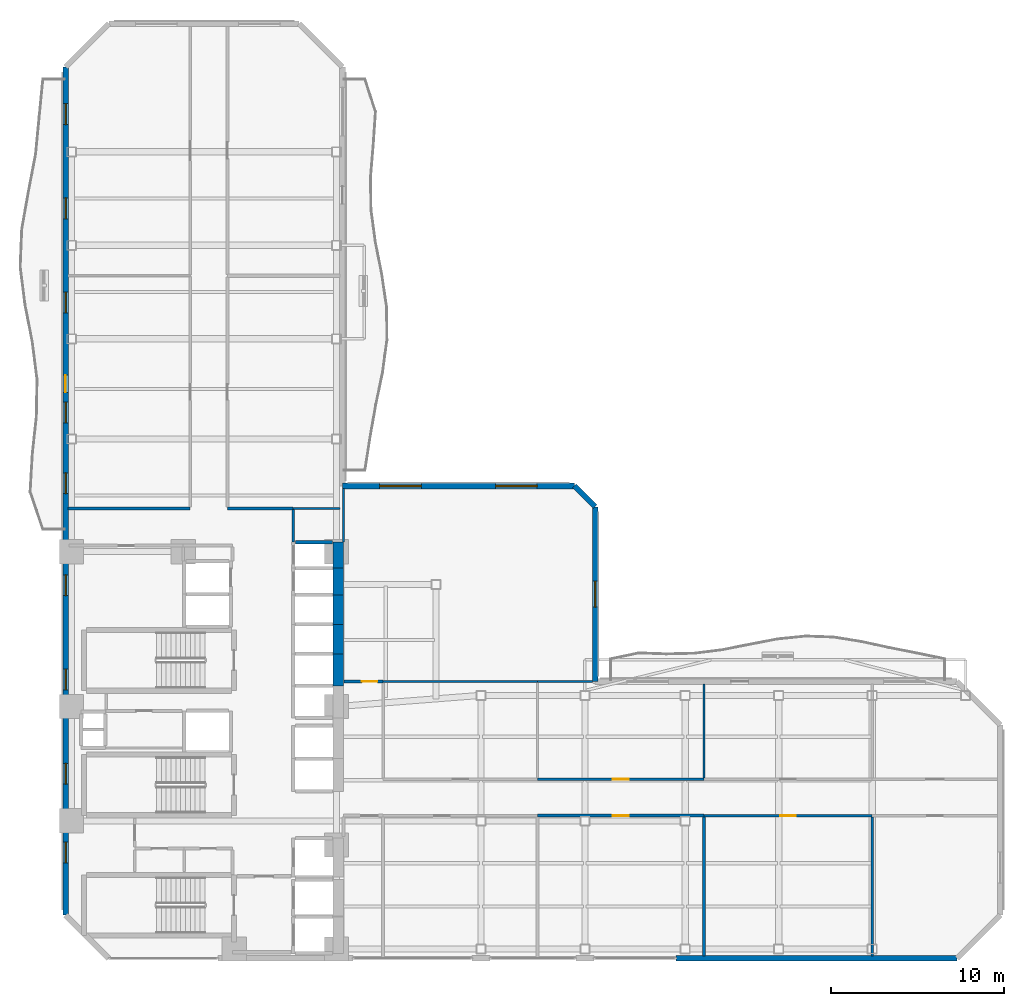
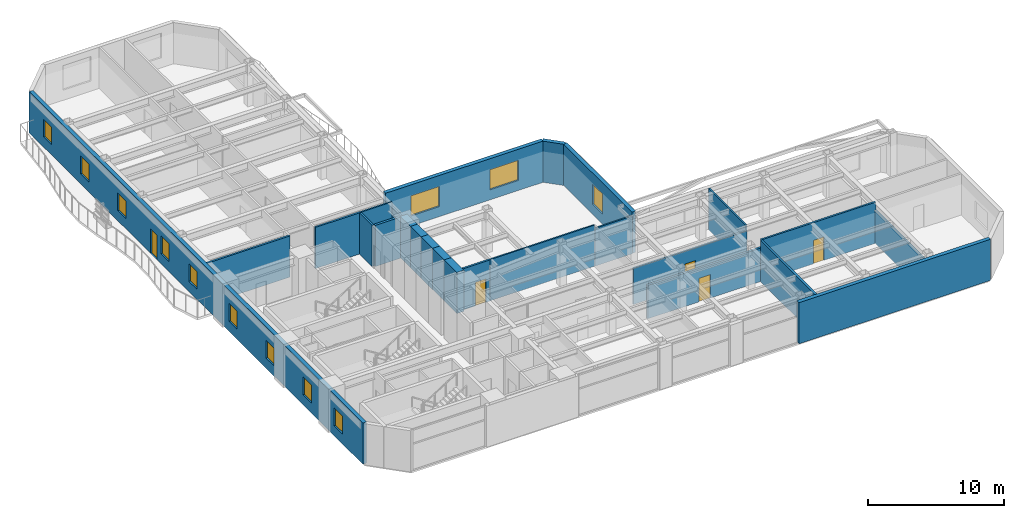
# One storey, part 11 of 16: 25 walls, 12 windows, 5 doors, 17 openings.
"""IFC4 building model written with IfcOpenShell, lengths in metres."""

from ifc_helpers import new_model, si_unit, direction, frame, frame_2d, origin, place, context, subcontext, project, spatial, rectangle, extrude, material, layer, layer_set, type_object, element, fill, save


model = new_model("IFC4")

# Units and contexts
model_context = context("Model", 3, precision=1e-05, world=origin(), true_north=direction((0.0, 1.0)))
body_context = subcontext(model_context, "Body", "Model", "MODEL_VIEW")
ifc_project = project(units=[si_unit("LENGTHUNIT", "METRE"), si_unit("AREAUNIT", "SQUARE_METRE"), si_unit("VOLUMEUNIT", "CUBIC_METRE"), si_unit("PLANEANGLEUNIT", "RADIAN"), si_unit("MASSUNIT", "GRAM", prefix="KILO")], contexts=[model_context])

# Site, building, storey
site_placement = place(None, origin())
site = spatial("IfcSite", under=ifc_project, at=site_placement, CompositionType="ELEMENT")
building_placement = place(site_placement, origin())
building = spatial("IfcBuilding", under=site, at=building_placement, Name="Mawjaban Terraces University", CompositionType="ELEMENT")
storey_placement = place(building_placement, frame((0.0, 0.0, 54.39990234375)))
storey = spatial("IfcBuildingStorey", under=building, at=storey_placement, Name="L12", CompositionType="ELEMENT", Elevation=54.39990234375)

# Wall, opening, door
ifc_material_1 = material(Name="Acoustic masonry blockwork", Category="masonry")
ifc_layer_1 = layer(ifc_material_1, 0.179931640625)
ifc_layer_set_1 = layer_set([ifc_layer_1], Name="Acoustic masonry blockwork")
wall_type_1 = type_object("IfcWallType", Name="AcousticStudioWall_180", PredefinedType="PARTITIONING", material=ifc_layer_set_1)
wall_1_placement = place(storey_placement, frame((49.260009765625, 8.25, 0.0), z_axis=(0.0, 0.0, 1.0), x_axis=(1.0, 0.0, 0.0)))
wall_1 = element("IfcWall", 1, at=wall_1_placement, inside=storey, type_object=wall_type_1, Name="L12 East Academic Spine Corridor Partition 17", PredefinedType="PARTITIONING", context=body_context, shape_type="SweptSolid", body=[
    extrude(rectangle(XDim=9.6298828125, YDim=0.179931640625, at=frame_2d((4.81494140625, 0.0))), origin(), (0.0, 0.0, 1.0), 2.9951171875),
])
opening_1_placement = place(wall_1_placement, frame((4.340087890625, 0.0, 0.0)))
opening_1 = element("IfcOpeningElement", 2, at=opening_1_placement, cuts=wall_1, Name="Opening ID-095", PredefinedType="OPENING", context=body_context, shape_type="SweptSolid", body=[
    extrude(rectangle(XDim=0.949951171875, YDim=2.10009765625, at=frame_2d((0.47509765625, 1.050048828125))), frame((0.0, 0.099853515625, 0.0), z_axis=(0.0, -1.0, 0.0), x_axis=(1.0, 0.0, 0.0)), (0.0, 0.0, 1.0), 0.199951171875),
])
ifc_material_2 = material(Name="Powder-coated steel frame and solid acoustic timber leaf", Category="steel")
door_type_1 = type_object("IfcDoorType", Name="StudioDoor_950x2100", OperationType="NOTDEFINED", PredefinedType="DOOR", material=ifc_material_2)
door_1_placement = place(opening_1_placement, origin())
door_1 = element("IfcDoor", 3, at=door_1_placement, inside=storey, type_object=door_type_1, Name="L12 Media Workshop 4 Door", OperationType="SINGLE_SWING_LEFT", OverallHeight=2.10009765625, OverallWidth=0.949951171875, PredefinedType="DOOR", context=body_context, shape_type="SweptSolid", body=[
    extrude(rectangle(XDim=0.949951171875, YDim=2.10009765625, at=frame_2d((0.47509765625, 1.050048828125))), frame((0.0, 0.02490234375, 0.0), z_axis=(0.0, -1.0, 0.0), x_axis=(1.0, 0.0, 0.0)), (0.0, 0.0, 1.0), 0.050048828125),
])
fill(opening_1, door_1)

# Walls
wall_2_placement = place(storey_placement, frame((58.889892578125, 0.155029296875, 0.0), z_axis=(0.0, 0.0, 1.0), x_axis=(0.0, 1.0, 0.0)))
element("IfcWall", 4, at=wall_2_placement, inside=storey, type_object=wall_type_1, Name="L12 Media Workshop 4 Partition 44", PredefinedType="PARTITIONING", context=body_context, shape_type="SweptSolid", body=[
    extrude(rectangle(XDim=8.010009765625, YDim=0.179931640625, at=frame_2d((4.0048828125, 0.0))), origin(), (0.0, 0.0, 1.0), 3.690185546875),
])
ifc_material_3 = material(Name="Concrete C70/85", Category="concrete")
ifc_layer_2 = layer(ifc_material_3, 0.60009765625)
ifc_layer_set_2 = layer_set([ifc_layer_2], Name="Concrete C70/85")
wall_type_2 = type_object("IfcWallType", Name="CoreShearWall_600", PredefinedType="SHEAR", material=ifc_layer_set_2)
wall_3_placement = place(storey_placement, frame((37.75, 15.75, 0.0), z_axis=(0.0, 0.0, 1.0), x_axis=(0.0, 1.0, 0.0)))
element("IfcWall", 5, at=wall_3_placement, inside=storey, type_object=wall_type_2, Name="L12 Lift OL-2 Hoistway Wall East", PredefinedType="SHEAR", context=body_context, shape_type="SweptSolid", body=[
    extrude(rectangle(XDim=1.85009765625, YDim=0.60009765625, at=frame_2d((0.925048828125, 0.0))), origin(), (0.0, 0.0, 1.0), 3.690185546875),
])
for number, where, z_axis, x_axis, name in (
    (6, (37.75, 17.60009765625, 0.0), (0.0, 0.0, 1.0), (0.0, 1.0, 0.0), "L12 Lift PL-M1 Hoistway Wall East"),
    (7, (37.75, 19.300048828125, 0.0), (0.0, 0.0, 1.0), (0.0, 1.0, 0.0), "L12 Lift PL-M2 Hoistway Wall East"),
):
    element("IfcWall", number, at=place(storey_placement, frame(where, z_axis=z_axis, x_axis=x_axis)), inside=storey, type_object=wall_type_2, Name=name, PredefinedType="SHEAR", context=body_context, shape_type="SweptSolid", body=[
        extrude(rectangle(XDim=1.699951171875, YDim=0.60009765625, at=frame_2d((0.85009765625, 0.0))), origin(), (0.0, 0.0, 1.0), 3.690185546875),
    ])
wall_4_placement = place(storey_placement, frame((37.75, 21.0, 0.0), z_axis=(0.0, 0.0, 1.0), x_axis=(0.0, 1.0, 0.0)))
element("IfcWall", 8, at=wall_4_placement, inside=storey, type_object=wall_type_2, Name="L12 Lift PL-L1 Hoistway Wall East", PredefinedType="SHEAR", context=body_context, shape_type="SweptSolid", body=[
    extrude(rectangle(XDim=1.550048828125, YDim=0.60009765625, at=frame_2d((0.77490234375, 0.0))), origin(), (0.0, 0.0, 1.0), 3.690185546875),
])
wall_5_placement = place(storey_placement, frame((37.75, 22.550048828125, 0.0), z_axis=(0.0, 0.0, 1.0), x_axis=(0.0, 1.0, 0.0)))
element("IfcWall", 9, at=wall_5_placement, inside=storey, type_object=wall_type_2, Name="L12 Lift PL-L2 Hoistway Wall East", PredefinedType="SHEAR", context=body_context, shape_type="SweptSolid", body=[
    extrude(rectangle(XDim=1.5, YDim=0.60009765625, at=frame_2d((0.75, 0.0))), origin(), (0.0, 0.0, 1.0), 3.690185546875),
])
ifc_material_4 = material(Name="Fire-rated gypsum board on steel stud", Category="steel")
ifc_layer_3 = layer(ifc_material_4, 0.159912109375)
ifc_layer_set_3 = layer_set([ifc_layer_3], Name="Fire-rated gypsum board on steel stud")
wall_type_3 = type_object("IfcWallType", Name="CorridorPartition_160", PredefinedType="PARTITIONING", material=ifc_layer_set_3)
wall_6_placement = place(storey_placement, frame((29.199951171875, 26.0, 0.0), z_axis=(0.0, 0.0, 1.0), x_axis=(-1.0, 0.0, 0.0)))
element("IfcWall", 10, at=wall_6_placement, inside=storey, type_object=wall_type_3, Name="L12 North Core Cross-Corridor Partition 7", PredefinedType="PARTITIONING", context=body_context, shape_type="SweptSolid", body=[
    extrude(rectangle(XDim=7.044921875, YDim=0.159912109375, at=frame_2d((3.5224609375, 0.0))), origin(), (0.0, 0.0, 1.0), 3.690185546875),
])
wall_7_placement = place(storey_placement, frame((35.14990234375, 26.0, 0.0), z_axis=(0.0, 0.0, 1.0), x_axis=(-1.0, 0.0, 0.0)))
element("IfcWall", 11, at=wall_7_placement, inside=storey, type_object=wall_type_3, Name="L12 North Core Cross-Corridor Partition 11", PredefinedType="PARTITIONING", context=body_context, shape_type="SweptSolid", body=[
    extrude(rectangle(XDim=3.7998046875, YDim=0.159912109375, at=frame_2d((1.89990234375, 0.0))), origin(), (0.0, 0.0, 1.0), 3.690185546875),
])

# Wall, opening, door
wall_8_placement = place(storey_placement, frame((40.35009765625, 16.0, 0.0), z_axis=(0.0, 0.0, 1.0), x_axis=(-1.0, 0.0, 0.0)))
wall_8 = element("IfcWall", 12, at=wall_8_placement, inside=storey, type_object=wall_type_3, Name="L12 East Academic Corridor Vestibule Partition 16", PredefinedType="PARTITIONING", context=body_context, shape_type="SweptSolid", body=[
    extrude(rectangle(XDim=2.27001953125, YDim=0.159912109375, at=frame_2d((1.135009765625, 0.0))), origin(), (0.0, 0.0, 1.0), 3.690185546875),
])
opening_2_placement = place(wall_8_placement, frame((0.3349609375, 0.0, 0.0)))
opening_2 = element("IfcOpeningElement", 13, at=opening_2_placement, cuts=wall_8, Name="Opening ID-090", PredefinedType="OPENING", context=body_context, shape_type="SweptSolid", body=[
    extrude(rectangle(XDim=0.89990234375, YDim=2.10009765625, at=frame_2d((0.449951171875, 1.050048828125))), frame((0.0, 0.08984375, 0.0), z_axis=(0.0, -1.0, 0.0), x_axis=(1.0, 0.0, 0.0)), (0.0, 0.0, 1.0), 0.179931640625),
])
door_type_2 = type_object("IfcDoorType", Name="OfficeDoor_900x2100", OperationType="NOTDEFINED", PredefinedType="DOOR", material=ifc_material_2)
door_2_placement = place(opening_2_placement, origin())
door_2 = element("IfcDoor", 14, at=door_2_placement, inside=storey, type_object=door_type_2, Name="L12 Terrace Collaborative Study Room Door", OperationType="SINGLE_SWING_LEFT", OverallHeight=2.10009765625, OverallWidth=0.89990234375, PredefinedType="DOOR", context=body_context, shape_type="SweptSolid", body=[
    extrude(rectangle(XDim=0.89990234375, YDim=2.10009765625, at=frame_2d((0.449951171875, 1.050048828125))), frame((0.0, 0.02490234375, 0.0), z_axis=(0.0, -1.0, 0.0), x_axis=(1.0, 0.0, 0.0)), (0.0, 0.0, 1.0), 0.050048828125),
])
fill(opening_2, door_2)

wall_9_placement = place(storey_placement, frame((58.889892578125, 8.25, 0.0), z_axis=(0.0, 0.0, 1.0), x_axis=(1.0, 0.0, 0.0)))
wall_9 = element("IfcWall", 15, at=wall_9_placement, inside=storey, type_object=wall_type_3, Name="L12 East Academic Spine Corridor Partition 21", PredefinedType="PARTITIONING", context=body_context, shape_type="SweptSolid", body=[
    extrude(rectangle(XDim=9.710205078125, YDim=0.159912109375, at=frame_2d((4.85498046875, 0.0))), origin(), (0.0, 0.0, 1.0), 3.690185546875),
])
opening_3_placement = place(wall_9_placement, frame((4.405029296875, 0.0, 0.0)))
opening_3 = element("IfcOpeningElement", 16, at=opening_3_placement, cuts=wall_9, Name="Opening ID-090", PredefinedType="OPENING", context=body_context, shape_type="SweptSolid", body=[
    extrude(rectangle(XDim=0.89990234375, YDim=2.10009765625, at=frame_2d((0.449951171875, 1.050048828125))), frame((0.0, 0.08984375, 0.0), z_axis=(0.0, -1.0, 0.0), x_axis=(1.0, 0.0, 0.0)), (0.0, 0.0, 1.0), 0.179931640625),
])
door_3_placement = place(opening_3_placement, origin())
door_3 = element("IfcDoor", 17, at=door_3_placement, inside=storey, type_object=door_type_2, Name="L12 Reading Salon 6 Door", OperationType="SINGLE_SWING_LEFT", OverallHeight=2.10009765625, OverallWidth=0.89990234375, PredefinedType="DOOR", context=body_context, shape_type="SweptSolid", body=[
    extrude(rectangle(XDim=0.89990234375, YDim=2.10009765625, at=frame_2d((0.449951171875, 1.050048828125))), frame((0.0, 0.02490234375, 0.0), z_axis=(0.0, -1.0, 0.0), x_axis=(1.0, 0.0, 0.0)), (0.0, 0.0, 1.0), 0.050048828125),
])
fill(opening_3, door_3)

wall_10_placement = place(storey_placement, frame((58.889892578125, 10.35009765625, 0.0), z_axis=(0.0, 0.0, 1.0), x_axis=(-1.0, 0.0, 0.0)))
wall_10 = element("IfcWall", 18, at=wall_10_placement, inside=storey, type_object=wall_type_3, Name="L12 East Academic Spine Corridor Partition 22", PredefinedType="PARTITIONING", context=body_context, shape_type="SweptSolid", body=[
    extrude(rectangle(XDim=9.6298828125, YDim=0.159912109375, at=frame_2d((4.81494140625, 0.0))), origin(), (0.0, 0.0, 1.0), 3.22705078125),
])
opening_4_placement = place(wall_10_placement, frame((4.364990234375, 0.0, 0.0)))
opening_4 = element("IfcOpeningElement", 19, at=opening_4_placement, cuts=wall_10, Name="Opening ID-090", PredefinedType="OPENING", context=body_context, shape_type="SweptSolid", body=[
    extrude(rectangle(XDim=0.89990234375, YDim=2.10009765625, at=frame_2d((0.449951171875, 1.050048828125))), frame((0.0, 0.08984375, 0.0), z_axis=(0.0, -1.0, 0.0), x_axis=(1.0, 0.0, 0.0)), (0.0, 0.0, 1.0), 0.179931640625),
])
door_4_placement = place(opening_4_placement, origin())
door_4 = element("IfcDoor", 20, at=door_4_placement, inside=storey, type_object=door_type_2, Name="L12 Quiet Reading Room 5 Door", OperationType="SINGLE_SWING_RIGHT", OverallHeight=2.10009765625, OverallWidth=0.89990234375, PredefinedType="DOOR", context=body_context, shape_type="SweptSolid", body=[
    extrude(rectangle(XDim=0.89990234375, YDim=2.10009765625, at=frame_2d((0.449951171875, 1.050048828125))), frame((0.0, 0.02490234375, 0.0), z_axis=(0.0, -1.0, 0.0), x_axis=(1.0, 0.0, 0.0)), (0.0, 0.0, 1.0), 0.050048828125),
])
fill(opening_4, door_4)

# Walls
wall_11_placement = place(storey_placement, frame((35.14990234375, 24.070068359375, 0.0), z_axis=(0.0, 0.0, 1.0), x_axis=(0.0, 1.0, 0.0)))
element("IfcWall", 21, at=wall_11_placement, inside=storey, type_object=wall_type_3, Name="L12 North Core Cross-Corridor Partition 37", PredefinedType="PARTITIONING", context=body_context, shape_type="SweptSolid", body=[
    extrude(rectangle(XDim=1.85498046875, YDim=0.159912109375, at=frame_2d((0.927490234375, 0.0))), origin(), (0.0, 0.0, 1.0), 3.690185546875),
])
ifc_material_5 = material(Name="Insulated terracotta rainscreen on concrete backup C40/50", Category="masonry")
ifc_layer_4 = layer(ifc_material_5, 0.320068359375)
ifc_layer_set_4 = layer_set([ifc_layer_4], Name="Insulated terracotta rainscreen on concrete backup C40/50")
wall_type_4 = type_object("IfcWallType", Name="ExtTerracottaWall_320", PredefinedType="SOLIDWALL", material=ifc_layer_set_4)
wall_12_placement = place(storey_placement, frame((57.27490234375, 0.0, 0.0), z_axis=(0.0, 0.0, 1.0), x_axis=(1.0, 0.0, 0.0)))
element("IfcWall", 22, at=wall_12_placement, inside=storey, type_object=wall_type_4, Name="L12 Exterior Terracotta Pier Wall 1.4", PredefinedType="SOLIDWALL", context=body_context, shape_type="SweptSolid", body=[
    extrude(rectangle(XDim=16.22509765625, YDim=0.320068359375, at=frame_2d((8.112548828125, 0.0))), origin(), (0.0, 0.0, 1.0), 3.690185546875),
])

# Wall, opening, window
wall_13_placement = place(storey_placement, frame((52.60009765625, 16.0, 0.0), z_axis=(0.0, 0.0, 1.0), x_axis=(0.0, 1.0, 0.0)))
wall_13 = element("IfcWall", 23, at=wall_13_placement, inside=storey, type_object=wall_type_4, Name="L12 Exterior Terracotta Wall 6", PredefinedType="SOLIDWALL", context=body_context, shape_type="SweptSolid", body=[
    extrude(rectangle(XDim=10.094970703125, YDim=0.320068359375, at=frame_2d((5.04736328125, 0.0))), origin(), (0.0, 0.0, 1.0), 3.690185546875),
])
opening_5_placement = place(wall_13_placement, frame((4.297119140625, 0.0, 0.89990234375)))
opening_5 = element("IfcOpeningElement", 24, at=opening_5_placement, cuts=wall_13, Name="Opening W-06", PredefinedType="OPENING", context=body_context, shape_type="SweptSolid", body=[
    extrude(rectangle(XDim=1.5, YDim=1.800048828125, at=frame_2d((0.75, 0.89990234375))), frame((0.0, 0.169921875, 0.0), z_axis=(0.0, -1.0, 0.0), x_axis=(1.0, 0.0, 0.0)), (0.0, 0.0, 1.0), 0.340087890625),
])
ifc_material_6 = material(Name="Low-E solar-control double glazing in thermally broken aluminium frame", Category="aluminium")
window_type_1 = type_object("IfcWindowType", Name="Win_1500x1800", PartitioningType="SINGLE_PANEL", PredefinedType="WINDOW", material=ifc_material_6)
window_1_placement = place(opening_5_placement, origin())
window_1 = element("IfcWindow", 25, at=window_1_placement, inside=storey, type_object=window_type_1, Name="L12 Facade Window 6.1", OverallHeight=1.800048828125, OverallWidth=1.5, PartitioningType="SINGLE_PANEL", PredefinedType="WINDOW", context=body_context, shape_type="SweptSolid", body=[
    extrude(rectangle(XDim=1.5, YDim=1.800048828125, at=frame_2d((0.75, 0.89990234375))), frame((0.0, 0.030029296875, 0.0), z_axis=(0.0, -1.0, 0.0), x_axis=(1.0, 0.0, 0.0)), (0.0, 0.0, 1.0), 0.06005859375),
])
fill(opening_5, window_1)

# Wall
wall_14_placement = place(storey_placement, frame((52.60009765625, 26.094970703125, 0.0), z_axis=(0.0, 0.0, 1.0), x_axis=(-0.707178703759, 0.707034851297, 0.0)))
element("IfcWall", 26, at=wall_14_placement, inside=storey, type_object=wall_type_4, Name="L12 Exterior Terracotta Wall 7", PredefinedType="SOLIDWALL", context=body_context, shape_type="SweptSolid", body=[
    extrude(rectangle(XDim=1.697265625, YDim=0.320068359375, at=frame_2d((0.8486328125, 0.0))), origin(), (0.0, 0.0, 1.0), 3.690185546875),
])

# Wall, openings, windows
wall_15_placement = place(storey_placement, frame((51.39990234375, 27.294921875, 0.0), z_axis=(0.0, 0.0, 1.0), x_axis=(-1.0, 0.0, 0.0)))
wall_15 = element("IfcWall", 27, at=wall_15_placement, inside=storey, type_object=wall_type_4, Name="L12 Exterior Terracotta Wall 8", PredefinedType="SOLIDWALL", context=body_context, shape_type="SweptSolid", body=[
    extrude(rectangle(XDim=13.39990234375, YDim=0.320068359375, at=frame_2d((6.699951171875, 0.0))), origin(), (0.0, 0.0, 1.0), 3.690185546875),
])
opening_6_placement = place(wall_15_placement, frame((2.14990234375, 0.0, 0.89990234375)))
opening_6 = element("IfcOpeningElement", 28, at=opening_6_placement, cuts=wall_15, Name="Opening W-08", PredefinedType="OPENING", context=body_context, shape_type="SweptSolid", body=[
    extrude(rectangle(XDim=2.39990234375, YDim=1.800048828125, at=frame_2d((1.199951171875, 0.89990234375))), frame((0.0, 0.169921875, 0.0), z_axis=(0.0, -1.0, 0.0), x_axis=(1.0, 0.0, 0.0)), (0.0, 0.0, 1.0), 0.340087890625),
])
opening_7_placement = place(wall_15_placement, frame((8.85009765625, 0.0, 0.89990234375)))
opening_7 = element("IfcOpeningElement", 29, at=opening_7_placement, cuts=wall_15, Name="Opening W-08", PredefinedType="OPENING", context=body_context, shape_type="SweptSolid", body=[
    extrude(rectangle(XDim=2.39990234375, YDim=1.800048828125, at=frame_2d((1.199951171875, 0.89990234375))), frame((0.0, 0.169921875, 0.0), z_axis=(0.0, -1.0, 0.0), x_axis=(1.0, 0.0, 0.0)), (0.0, 0.0, 1.0), 0.340087890625),
])
window_type_2 = type_object("IfcWindowType", Name="Win_2400x1800", PartitioningType="SINGLE_PANEL", PredefinedType="WINDOW", material=ifc_material_6)
window_2_placement = place(opening_6_placement, origin())
window_2 = element("IfcWindow", 30, at=window_2_placement, inside=storey, type_object=window_type_2, Name="L12 Facade Window 8.1", OverallHeight=1.800048828125, OverallWidth=2.39990234375, PartitioningType="SINGLE_PANEL", PredefinedType="WINDOW", context=body_context, shape_type="SweptSolid", body=[
    extrude(rectangle(XDim=2.39990234375, YDim=1.800048828125, at=frame_2d((1.199951171875, 0.89990234375))), frame((0.0, 0.030029296875, 0.0), z_axis=(0.0, -1.0, 0.0), x_axis=(1.0, 0.0, 0.0)), (0.0, 0.0, 1.0), 0.06005859375),
])
fill(opening_6, window_2)
window_3_placement = place(opening_7_placement, origin())
window_3 = element("IfcWindow", 31, at=window_3_placement, inside=storey, type_object=window_type_2, Name="L12 Facade Window 8.2", OverallHeight=1.800048828125, OverallWidth=2.39990234375, PartitioningType="SINGLE_PANEL", PredefinedType="WINDOW", context=body_context, shape_type="SweptSolid", body=[
    extrude(rectangle(XDim=2.39990234375, YDim=1.800048828125, at=frame_2d((1.199951171875, 0.89990234375))), frame((0.0, 0.030029296875, 0.0), z_axis=(0.0, -1.0, 0.0), x_axis=(1.0, 0.0, 0.0)), (0.0, 0.0, 1.0), 0.06005859375),
])
fill(opening_7, window_3)

# Wall, openings, door, windows
wall_16_placement = place(storey_placement, frame((22.0, 51.5, 0.0), z_axis=(0.0, 0.0, 1.0), x_axis=(0.0, -1.0, 0.0)))
wall_16 = element("IfcWall", 32, at=wall_16_placement, inside=storey, type_object=wall_type_4, Name="L12 Exterior Terracotta Wall 13", PredefinedType="SOLIDWALL", context=body_context, shape_type="SweptSolid", body=[
    extrude(rectangle(XDim=49.0, YDim=0.320068359375, at=frame_2d((24.5, 0.0))), origin(), (0.0, 0.0, 1.0), 3.690185546875),
])
opening_8_placement = place(wall_16_placement, frame((17.800048828125, 0.0, 0.0)))
opening_8 = element("IfcOpeningElement", 33, at=opening_8_placement, cuts=wall_16, Name="Opening BD-100", PredefinedType="OPENING", context=body_context, shape_type="SweptSolid", body=[
    extrude(rectangle(XDim=1.0, YDim=2.199951171875, at=frame_2d((0.5, 1.10009765625))), frame((0.0, 0.169921875, 0.0), z_axis=(0.0, -1.0, 0.0), x_axis=(1.0, 0.0, 0.0)), (0.0, 0.0, 1.0), 0.340087890625),
])
opening_9_placement = place(wall_16_placement, frame((2.1220703125, 0.0, 0.89990234375)))
opening_9 = element("IfcOpeningElement", 34, at=opening_9_placement, cuts=wall_16, Name="Opening W-01", PredefinedType="OPENING", context=body_context, shape_type="SweptSolid", body=[
    extrude(rectangle(XDim=1.199951171875, YDim=1.60009765625, at=frame_2d((0.60009765625, 0.800048828125))), frame((0.0, 0.169921875, 0.0), z_axis=(0.0, -1.0, 0.0), x_axis=(1.0, 0.0, 0.0)), (0.0, 0.0, 1.0), 0.340087890625),
])
opening_10_placement = place(wall_16_placement, frame((7.56689453125, 0.0, 0.89990234375)))
opening_10 = element("IfcOpeningElement", 35, at=opening_10_placement, cuts=wall_16, Name="Opening W-01", PredefinedType="OPENING", context=body_context, shape_type="SweptSolid", body=[
    extrude(rectangle(XDim=1.199951171875, YDim=1.60009765625, at=frame_2d((0.60009765625, 0.800048828125))), frame((0.0, 0.169921875, 0.0), z_axis=(0.0, -1.0, 0.0), x_axis=(1.0, 0.0, 0.0)), (0.0, 0.0, 1.0), 0.340087890625),
])
opening_11_placement = place(wall_16_placement, frame((13.010986328125, 0.0, 0.89990234375)))
opening_11 = element("IfcOpeningElement", 36, at=opening_11_placement, cuts=wall_16, Name="Opening W-01", PredefinedType="OPENING", context=body_context, shape_type="SweptSolid", body=[
    extrude(rectangle(XDim=1.199951171875, YDim=1.60009765625, at=frame_2d((0.60009765625, 0.800048828125))), frame((0.0, 0.169921875, 0.0), z_axis=(0.0, -1.0, 0.0), x_axis=(1.0, 0.0, 0.0)), (0.0, 0.0, 1.0), 0.340087890625),
])
opening_12_placement = place(wall_16_placement, frame((19.35595703125, 0.0, 0.89990234375)))
opening_12 = element("IfcOpeningElement", 37, at=opening_12_placement, cuts=wall_16, Name="Opening W-01", PredefinedType="OPENING", context=body_context, shape_type="SweptSolid", body=[
    extrude(rectangle(XDim=1.199951171875, YDim=1.60009765625, at=frame_2d((0.60009765625, 0.800048828125))), frame((0.0, 0.169921875, 0.0), z_axis=(0.0, -1.0, 0.0), x_axis=(1.0, 0.0, 0.0)), (0.0, 0.0, 1.0), 0.340087890625),
])
opening_13_placement = place(wall_16_placement, frame((23.449951171875, 0.0, 0.89990234375)))
opening_13 = element("IfcOpeningElement", 38, at=opening_13_placement, cuts=wall_16, Name="Opening W-01", PredefinedType="OPENING", context=body_context, shape_type="SweptSolid", body=[
    extrude(rectangle(XDim=1.199951171875, YDim=1.60009765625, at=frame_2d((0.60009765625, 0.800048828125))), frame((0.0, 0.169921875, 0.0), z_axis=(0.0, -1.0, 0.0), x_axis=(1.0, 0.0, 0.0)), (0.0, 0.0, 1.0), 0.340087890625),
])
opening_14_placement = place(wall_16_placement, frame((29.343994140625, 0.0, 0.89990234375)))
opening_14 = element("IfcOpeningElement", 39, at=opening_14_placement, cuts=wall_16, Name="Opening W-01", PredefinedType="OPENING", context=body_context, shape_type="SweptSolid", body=[
    extrude(rectangle(XDim=1.199951171875, YDim=1.60009765625, at=frame_2d((0.60009765625, 0.800048828125))), frame((0.0, 0.169921875, 0.0), z_axis=(0.0, -1.0, 0.0), x_axis=(1.0, 0.0, 0.0)), (0.0, 0.0, 1.0), 0.340087890625),
])
opening_15_placement = place(wall_16_placement, frame((34.7890625, 0.0, 0.89990234375)))
opening_15 = element("IfcOpeningElement", 40, at=opening_15_placement, cuts=wall_16, Name="Opening W-01", PredefinedType="OPENING", context=body_context, shape_type="SweptSolid", body=[
    extrude(rectangle(XDim=1.199951171875, YDim=1.60009765625, at=frame_2d((0.60009765625, 0.800048828125))), frame((0.0, 0.169921875, 0.0), z_axis=(0.0, -1.0, 0.0), x_axis=(1.0, 0.0, 0.0)), (0.0, 0.0, 1.0), 0.340087890625),
])
opening_16_placement = place(wall_16_placement, frame((40.23291015625, 0.0, 0.89990234375)))
opening_16 = element("IfcOpeningElement", 41, at=opening_16_placement, cuts=wall_16, Name="Opening W-01", PredefinedType="OPENING", context=body_context, shape_type="SweptSolid", body=[
    extrude(rectangle(XDim=1.199951171875, YDim=1.60009765625, at=frame_2d((0.60009765625, 0.800048828125))), frame((0.0, 0.169921875, 0.0), z_axis=(0.0, -1.0, 0.0), x_axis=(1.0, 0.0, 0.0)), (0.0, 0.0, 1.0), 0.340087890625),
])
opening_17_placement = place(wall_16_placement, frame((44.778076171875, 0.0, 0.89990234375)))
opening_17 = element("IfcOpeningElement", 42, at=opening_17_placement, cuts=wall_16, Name="Opening W-01", PredefinedType="OPENING", context=body_context, shape_type="SweptSolid", body=[
    extrude(rectangle(XDim=1.199951171875, YDim=1.60009765625, at=frame_2d((0.60009765625, 0.800048828125))), frame((0.0, 0.169921875, 0.0), z_axis=(0.0, -1.0, 0.0), x_axis=(1.0, 0.0, 0.0)), (0.0, 0.0, 1.0), 0.340087890625),
])
ifc_material_7 = material(Name="Thermally broken anodised aluminium and laminated safety glass", Category="aluminium")
door_type_3 = type_object("IfcDoorType", Name="BalconyGlazedDoor_1000x2200", OperationType="NOTDEFINED", PredefinedType="DOOR", material=ifc_material_7)
door_5_placement = place(opening_8_placement, origin())
door_5 = element("IfcDoor", 43, at=door_5_placement, inside=storey, type_object=door_type_3, Name="L12 Balcony Access Door west", OperationType="SINGLE_SWING_LEFT", OverallHeight=2.199951171875, OverallWidth=1.0, PredefinedType="DOOR", context=body_context, shape_type="SweptSolid", body=[
    extrude(rectangle(XDim=1.0, YDim=2.199951171875, at=frame_2d((0.5, 1.10009765625))), frame((0.0, 0.02490234375, 0.0), z_axis=(0.0, -1.0, 0.0), x_axis=(1.0, 0.0, 0.0)), (0.0, 0.0, 1.0), 0.050048828125),
])
fill(opening_8, door_5)
window_type_3 = type_object("IfcWindowType", Name="Win_1200x1600", PartitioningType="SINGLE_PANEL", PredefinedType="WINDOW", material=ifc_material_6)
window_4_placement = place(opening_9_placement, origin())
window_4 = element("IfcWindow", 44, at=window_4_placement, inside=storey, type_object=window_type_3, Name="L12 Facade Window 13.1", OverallHeight=1.60009765625, OverallWidth=1.199951171875, PartitioningType="SINGLE_PANEL", PredefinedType="WINDOW", context=body_context, shape_type="SweptSolid", body=[
    extrude(rectangle(XDim=1.199951171875, YDim=1.60009765625, at=frame_2d((0.60009765625, 0.800048828125))), frame((0.0, 0.030029296875, 0.0), z_axis=(0.0, -1.0, 0.0), x_axis=(1.0, 0.0, 0.0)), (0.0, 0.0, 1.0), 0.06005859375),
])
fill(opening_9, window_4)
window_5_placement = place(opening_10_placement, origin())
window_5 = element("IfcWindow", 45, at=window_5_placement, inside=storey, type_object=window_type_3, Name="L12 Facade Window 13.2", OverallHeight=1.60009765625, OverallWidth=1.199951171875, PartitioningType="SINGLE_PANEL", PredefinedType="WINDOW", context=body_context, shape_type="SweptSolid", body=[
    extrude(rectangle(XDim=1.199951171875, YDim=1.60009765625, at=frame_2d((0.60009765625, 0.800048828125))), frame((0.0, 0.030029296875, 0.0), z_axis=(0.0, -1.0, 0.0), x_axis=(1.0, 0.0, 0.0)), (0.0, 0.0, 1.0), 0.06005859375),
])
fill(opening_10, window_5)
window_6_placement = place(opening_11_placement, origin())
window_6 = element("IfcWindow", 46, at=window_6_placement, inside=storey, type_object=window_type_3, Name="L12 Facade Window 13.3", OverallHeight=1.60009765625, OverallWidth=1.199951171875, PartitioningType="SINGLE_PANEL", PredefinedType="WINDOW", context=body_context, shape_type="SweptSolid", body=[
    extrude(rectangle(XDim=1.199951171875, YDim=1.60009765625, at=frame_2d((0.60009765625, 0.800048828125))), frame((0.0, 0.030029296875, 0.0), z_axis=(0.0, -1.0, 0.0), x_axis=(1.0, 0.0, 0.0)), (0.0, 0.0, 1.0), 0.06005859375),
])
fill(opening_11, window_6)
window_7_placement = place(opening_12_placement, origin())
window_7 = element("IfcWindow", 47, at=window_7_placement, inside=storey, type_object=window_type_3, Name="L12 Facade Window 13.4", OverallHeight=1.60009765625, OverallWidth=1.199951171875, PartitioningType="SINGLE_PANEL", PredefinedType="WINDOW", context=body_context, shape_type="SweptSolid", body=[
    extrude(rectangle(XDim=1.199951171875, YDim=1.60009765625, at=frame_2d((0.60009765625, 0.800048828125))), frame((0.0, 0.030029296875, 0.0), z_axis=(0.0, -1.0, 0.0), x_axis=(1.0, 0.0, 0.0)), (0.0, 0.0, 1.0), 0.06005859375),
])
fill(opening_12, window_7)
window_8_placement = place(opening_13_placement, origin())
window_8 = element("IfcWindow", 48, at=window_8_placement, inside=storey, type_object=window_type_3, Name="L12 Facade Window 13.5", OverallHeight=1.60009765625, OverallWidth=1.199951171875, PartitioningType="SINGLE_PANEL", PredefinedType="WINDOW", context=body_context, shape_type="SweptSolid", body=[
    extrude(rectangle(XDim=1.199951171875, YDim=1.60009765625, at=frame_2d((0.60009765625, 0.800048828125))), frame((0.0, 0.030029296875, 0.0), z_axis=(0.0, -1.0, 0.0), x_axis=(1.0, 0.0, 0.0)), (0.0, 0.0, 1.0), 0.06005859375),
])
fill(opening_13, window_8)
window_9_placement = place(opening_14_placement, origin())
window_9 = element("IfcWindow", 49, at=window_9_placement, inside=storey, type_object=window_type_3, Name="L12 Facade Window 13.6", OverallHeight=1.60009765625, OverallWidth=1.199951171875, PartitioningType="SINGLE_PANEL", PredefinedType="WINDOW", context=body_context, shape_type="SweptSolid", body=[
    extrude(rectangle(XDim=1.199951171875, YDim=1.60009765625, at=frame_2d((0.60009765625, 0.800048828125))), frame((0.0, 0.030029296875, 0.0), z_axis=(0.0, -1.0, 0.0), x_axis=(1.0, 0.0, 0.0)), (0.0, 0.0, 1.0), 0.06005859375),
])
fill(opening_14, window_9)
window_10_placement = place(opening_15_placement, origin())
window_10 = element("IfcWindow", 50, at=window_10_placement, inside=storey, type_object=window_type_3, Name="L12 Facade Window 13.7", OverallHeight=1.60009765625, OverallWidth=1.199951171875, PartitioningType="SINGLE_PANEL", PredefinedType="WINDOW", context=body_context, shape_type="SweptSolid", body=[
    extrude(rectangle(XDim=1.199951171875, YDim=1.60009765625, at=frame_2d((0.60009765625, 0.800048828125))), frame((0.0, 0.030029296875, 0.0), z_axis=(0.0, -1.0, 0.0), x_axis=(1.0, 0.0, 0.0)), (0.0, 0.0, 1.0), 0.06005859375),
])
fill(opening_15, window_10)
window_11_placement = place(opening_16_placement, origin())
window_11 = element("IfcWindow", 51, at=window_11_placement, inside=storey, type_object=window_type_3, Name="L12 Facade Window 13.8", OverallHeight=1.60009765625, OverallWidth=1.199951171875, PartitioningType="SINGLE_PANEL", PredefinedType="WINDOW", context=body_context, shape_type="SweptSolid", body=[
    extrude(rectangle(XDim=1.199951171875, YDim=1.60009765625, at=frame_2d((0.60009765625, 0.800048828125))), frame((0.0, 0.030029296875, 0.0), z_axis=(0.0, -1.0, 0.0), x_axis=(1.0, 0.0, 0.0)), (0.0, 0.0, 1.0), 0.06005859375),
])
fill(opening_16, window_11)
window_12_placement = place(opening_17_placement, origin())
window_12 = element("IfcWindow", 52, at=window_12_placement, inside=storey, type_object=window_type_3, Name="L12 Facade Window 13.9", OverallHeight=1.60009765625, OverallWidth=1.199951171875, PartitioningType="SINGLE_PANEL", PredefinedType="WINDOW", context=body_context, shape_type="SweptSolid", body=[
    extrude(rectangle(XDim=1.199951171875, YDim=1.60009765625, at=frame_2d((0.60009765625, 0.800048828125))), frame((0.0, 0.030029296875, 0.0), z_axis=(0.0, -1.0, 0.0), x_axis=(1.0, 0.0, 0.0)), (0.0, 0.0, 1.0), 0.06005859375),
])
fill(opening_17, window_12)

# Walls
ifc_material_8 = material(Name="Concrete C40/50", Category="concrete")
ifc_layer_5 = layer(ifc_material_8, 0.199951171875)
ifc_layer_set_5 = layer_set([ifc_layer_5], Name="Concrete C40/50")
wall_type_5 = type_object("IfcWallType", Name="FireLobbyWall_200", PredefinedType="SOLIDWALL", material=ifc_layer_set_5)
wall_17_placement = place(storey_placement, frame((37.419921875, 24.050048828125, 0.0), z_axis=(0.0, 0.0, 1.0), x_axis=(-1.0, 0.0, 0.0)))
element("IfcWall", 53, at=wall_17_placement, inside=storey, type_object=wall_type_5, Name="L12 Lift PL-L2 Hoistway Wall North", PredefinedType="SOLIDWALL", context=body_context, shape_type="SweptSolid", body=[
    extrude(rectangle(XDim=2.139892578125, YDim=0.199951171875, at=frame_2d((1.06982421875, 0.0))), origin(), (0.0, 0.0, 1.0), 3.690185546875),
])
ifc_material_9 = material(Name="Gypsum plasterboard on steel stud", Category="steel")
ifc_layer_6 = layer(ifc_material_9, 0.125)
ifc_layer_set_6 = layer_set([ifc_layer_6], Name="Gypsum plasterboard on steel stud")
wall_type_6 = type_object("IfcWallType", Name="OfficePartition_125", PredefinedType="PARTITIONING", material=ifc_layer_set_6)
wall_18_placement = place(storey_placement, frame((35.14990234375, 26.0, 0.0), z_axis=(0.0, 0.0, 1.0), x_axis=(1.0, 0.0, 0.0)))
element("IfcWall", 54, at=wall_18_placement, inside=storey, type_object=wall_type_6, Name="L12 Faculty Office 11 Partition 12", PredefinedType="PARTITIONING", context=body_context, shape_type="SweptSolid", body=[
    extrude(rectangle(XDim=2.7001953125, YDim=0.125, at=frame_2d((1.35009765625, 0.0))), origin(), (0.0, 0.0, 1.0), 3.690185546875),
])
wall_19_placement = place(storey_placement, frame((49.260009765625, 16.0, 0.0), z_axis=(0.0, 0.0, 1.0), x_axis=(1.0, 0.0, 0.0)))
element("IfcWall", 55, at=wall_19_placement, inside=storey, type_object=wall_type_6, Name="L12 Terrace Collaborative Study Room Partition 19", PredefinedType="PARTITIONING", context=body_context, shape_type="SweptSolid", body=[
    extrude(rectangle(XDim=3.18505859375, YDim=0.125, at=frame_2d((1.592529296875, 0.0))), origin(), (0.0, 0.0, 1.0), 3.39013671875),
])
wall_20_placement = place(storey_placement, frame((49.260009765625, 16.0, 0.0), z_axis=(0.0, 0.0, 1.0), x_axis=(-1.0, 0.0, 0.0)))
element("IfcWall", 56, at=wall_20_placement, inside=storey, type_object=wall_type_6, Name="L12 Reading Salon 3 Partition 20", PredefinedType="PARTITIONING", context=body_context, shape_type="SweptSolid", body=[
    extrude(rectangle(XDim=8.909912109375, YDim=0.125, at=frame_2d((4.455078125, 0.0))), origin(), (0.0, 0.0, 1.0), 3.690185546875),
])
wall_21_placement = place(storey_placement, frame((38.050048828125, 27.139892578125, 0.0), z_axis=(0.0, 0.0, 1.0), x_axis=(0.0, -1.0, 0.0)))
element("IfcWall", 57, at=wall_21_placement, inside=storey, type_object=wall_type_6, Name="L12 Terrace Collaborative Study Room Partition 39", PredefinedType="PARTITIONING", context=body_context, shape_type="SweptSolid", body=[
    extrude(rectangle(XDim=3.08984375, YDim=0.125, at=frame_2d((1.544921875, 0.0))), origin(), (0.0, 0.0, 1.0), 2.9951171875),
])
wall_22_placement = place(storey_placement, frame((58.889892578125, 10.425048828125, 0.0), z_axis=(0.0, 0.0, 1.0), x_axis=(0.0, 1.0, 0.0)))
element("IfcWall", 58, at=wall_22_placement, inside=storey, type_object=wall_type_6, Name="L12 Quiet Reading Room 5 Partition 45", PredefinedType="PARTITIONING", context=body_context, shape_type="SweptSolid", body=[
    extrude(rectangle(XDim=5.419921875, YDim=0.125, at=frame_2d((2.7099609375, 0.0))), origin(), (0.0, 0.0, 1.0), 3.690185546875),
])
wall_23_placement = place(storey_placement, frame((68.60009765625, 0.155029296875, 0.0), z_axis=(0.0, 0.0, 1.0), x_axis=(0.0, 1.0, 0.0)))
element("IfcWall", 59, at=wall_23_placement, inside=storey, type_object=wall_type_6, Name="L12 Reading Salon 6 Partition 46", PredefinedType="PARTITIONING", context=body_context, shape_type="SweptSolid", body=[
    extrude(rectangle(XDim=8.02001953125, YDim=0.125, at=frame_2d((4.010009765625, 0.0))), origin(), (0.0, 0.0, 1.0), 2.9951171875),
])

save(model, "model.ifc")
